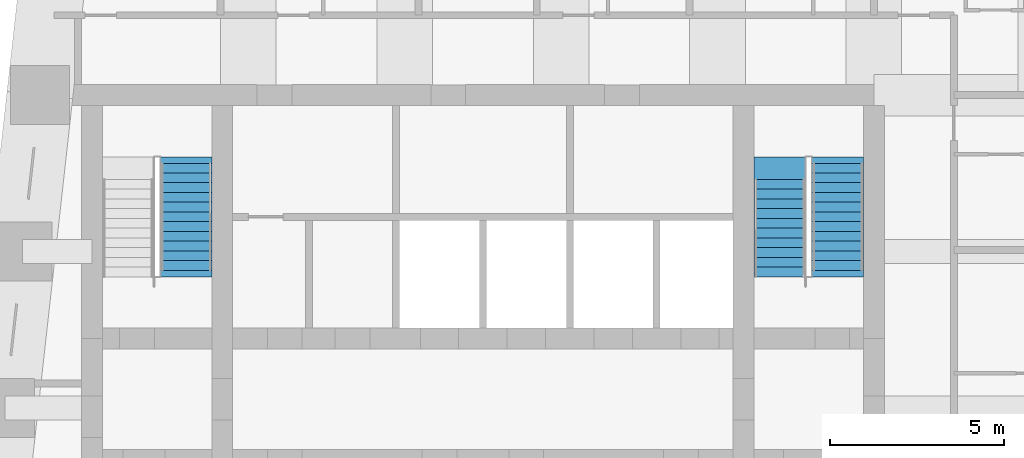
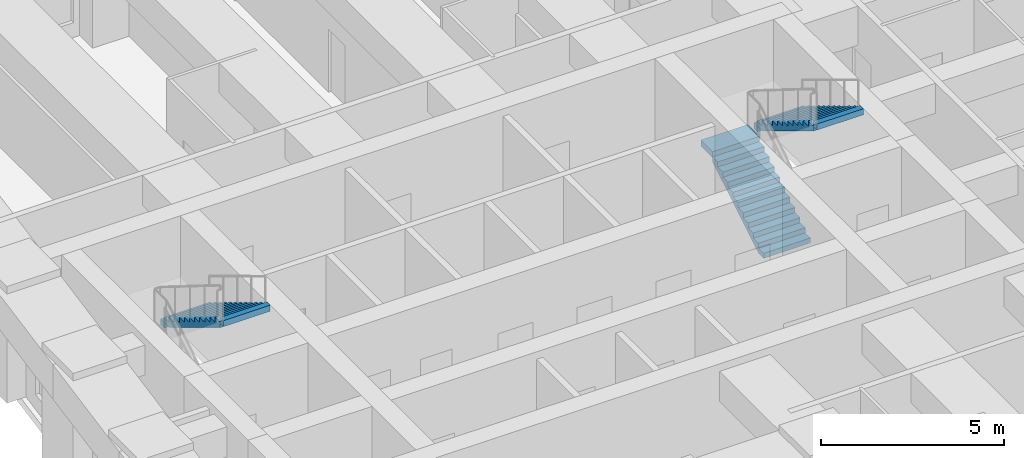
# One storey, part 6 of 7: 3 stair flights, 2 elements without a shape of their own.
"""IFC4 building model written with IfcOpenShell, lengths in metres."""

from ifc_helpers import new_model, si_unit, direction, frame, origin, place, context, subcontext, project, spatial, polyline, outline, extrude, material, type_object, element, aggregate, save


model = new_model("IFC4")

# Units and contexts
model_context = context("Model", 3, precision=1e-05, world=origin(), true_north=direction((0.0, 1.0)))
body_context = subcontext(model_context, "Body", "Model", "MODEL_VIEW")
ifc_project = project(units=[si_unit("LENGTHUNIT", "METRE"), si_unit("AREAUNIT", "SQUARE_METRE"), si_unit("VOLUMEUNIT", "CUBIC_METRE"), si_unit("PLANEANGLEUNIT", "RADIAN"), si_unit("MASSUNIT", "GRAM", prefix="KILO")], contexts=[model_context])

# Site, building, storey
site_placement = place(None, origin())
site = spatial("IfcSite", under=ifc_project, at=site_placement, CompositionType="ELEMENT")
building_placement = place(site_placement, origin())
building = spatial("IfcBuilding", under=site, at=building_placement, Name="Kilele Tower Hotel", CompositionType="ELEMENT")
storey_placement = place(building_placement, frame((0.0, 0.0, 236.89990234375)))
storey = spatial("IfcBuildingStorey", under=building, at=storey_placement, Name="L61", CompositionType="ELEMENT", Elevation=236.89990234375)

# Stair, stair flight
ifc_material_1 = material(Name="Precast concrete C40/50", Category="concrete")
stair_type = type_object("IfcStairType", Name="Stair 1475 x 3900", PredefinedType="HALF_TURN_STAIR", material=ifc_material_1)
stair_1_placement = place(storey_placement, origin())
stair_1 = element("IfcStair", 1, at=stair_1_placement, inside=storey, type_object=stair_type, Name="Stair 1 L61", PredefinedType="HALF_TURN_STAIR")
ifc_material_2 = material(Name="Precast concrete C40/50", Category="concrete")
stair_flight_type = type_object("IfcStairFlightType", Name="Flight 1475 riser 169.6", PredefinedType="STRAIGHT", material=ifc_material_2)
stair_flight_1_placement = place(storey_placement, frame((16.21240234375, 25.0400390625, 1.865234375), z_axis=(0.0, 0.0, 1.0), x_axis=(0.0, -1.0, 0.0)))
stair_flight_1 = element("IfcStairFlight", 2, at=stair_flight_1_placement, type_object=stair_flight_type, Name="ST1 flight 2", NumberOfRisers=12, NumberOfTreads=11, PredefinedType="STRAIGHT", RiserHeight=0.169565217, TreadLength=0.28, context=body_context, shape_type="SweptSolid", body=[
    extrude(outline(polyline([(0.0, 0.0), (0.0, 0.169677734375), (0.280029296875, 0.169677734375), (0.280029296875, 0.339111328125), (0.56005859375, 0.339111328125), (0.56005859375, 0.5087890625), (0.840087890625, 0.5087890625), (0.840087890625, 0.67822265625), (1.1201171875, 0.67822265625), (1.1201171875, 0.847900390625), (1.39990234375, 0.847900390625), (1.39990234375, 1.017333984375), (1.679931640625, 1.017333984375), (1.679931640625, 1.18701171875), (1.9599609375, 1.18701171875), (1.9599609375, 1.3564453125), (2.239990234375, 1.3564453125), (2.239990234375, 1.526123046875), (2.52001953125, 1.526123046875), (2.52001953125, 1.695556640625), (2.800048828125, 1.695556640625), (2.800048828125, 1.865234375), (3.080078125, 1.865234375), (3.080078125, 2.03466796875), (3.080078125, 1.68994140625), (0.289306640625, 0.0), (0.0, 0.0)])), frame((0.0, 0.737548828125, 0.0), z_axis=(0.0, -1.0, 0.0), x_axis=(1.0, 0.0, 0.0)), (0.0, 0.0, 1.0), 1.47509765625),
    extrude(outline(polyline([(0.0, -0.7373046875), (0.0, 0.737548828125), (-0.18505859375, 0.737548828125), (-0.18505859375, -0.7373046875), (0.0, -0.7373046875)])), frame((0.0, 0.0, -0.199951171875)), (0.0, 0.0, 1.0), 0.199951171875),
    extrude(outline(polyline([(3.26513671875, -0.7373046875), (3.26513671875, 0.737548828125), (3.080078125, 0.737548828125), (3.080078125, -0.7373046875), (3.26513671875, -0.7373046875)])), frame((0.0, 0.0, 1.8349609375)), (0.0, 0.0, 1.0), 0.199951171875),
])
aggregate(stair_1, [stair_flight_1])

# Stair, stair flights
stair_2_placement = place(storey_placement, origin())
stair_2 = element("IfcStair", 3, at=stair_2_placement, inside=storey, type_object=stair_type, Name="Stair 2 L61", PredefinedType="HALF_TURN_STAIR")
stair_flight_2_placement = place(storey_placement, frame((33.28759765625, 21.77490234375, 0.0), z_axis=(0.0, 0.0, 1.0), x_axis=(0.0, 1.0, 0.0)))
stair_flight_2 = element("IfcStairFlight", 4, at=stair_flight_2_placement, type_object=stair_flight_type, Name="ST2 flight 1", NumberOfRisers=11, NumberOfTreads=10, PredefinedType="STRAIGHT", RiserHeight=0.169565217, TreadLength=0.28, context=body_context, shape_type="SweptSolid", body=[
    extrude(outline(polyline([(0.0, 0.0), (0.0, 0.169677734375), (0.280029296875, 0.169677734375), (0.280029296875, 0.339111328125), (0.56005859375, 0.339111328125), (0.56005859375, 0.5087890625), (0.840087890625, 0.5087890625), (0.840087890625, 0.67822265625), (1.1201171875, 0.67822265625), (1.1201171875, 0.847900390625), (1.39990234375, 0.847900390625), (1.39990234375, 1.017333984375), (1.679931640625, 1.017333984375), (1.679931640625, 1.18701171875), (1.9599609375, 1.18701171875), (1.9599609375, 1.3564453125), (2.239990234375, 1.3564453125), (2.239990234375, 1.526123046875), (2.52001953125, 1.526123046875), (2.52001953125, 1.695556640625), (2.800048828125, 1.695556640625), (2.800048828125, 1.865234375), (2.800048828125, 1.5205078125), (0.289306640625, 0.0), (0.0, 0.0)])), frame((0.0, 0.737548828125, 0.0), z_axis=(0.0, -1.0, 0.0), x_axis=(1.0, 0.0, 0.0)), (0.0, 0.0, 1.0), 1.47509765625),
    extrude(outline(polyline([(2.800048828125, 0.737548828125), (2.800048828125, -0.7373046875), (3.4501953125, -0.7373046875), (3.4501953125, 0.737548828125), (2.800048828125, 0.737548828125)])), frame((0.0, 0.0, 1.665283203125)), (0.0, 0.0, 1.0), 0.199951171875),
])
stair_flight_3_placement = place(storey_placement, frame((34.96240234375, 25.0400390625, 1.865234375), z_axis=(0.0, 0.0, 1.0), x_axis=(0.0, -1.0, 0.0)))
stair_flight_3 = element("IfcStairFlight", 5, at=stair_flight_3_placement, type_object=stair_flight_type, Name="ST2 flight 2", NumberOfRisers=12, NumberOfTreads=11, PredefinedType="STRAIGHT", RiserHeight=0.169565217, TreadLength=0.28, context=body_context, shape_type="SweptSolid", body=[
    extrude(outline(polyline([(0.0, 0.0), (0.0, 0.169677734375), (0.280029296875, 0.169677734375), (0.280029296875, 0.339111328125), (0.56005859375, 0.339111328125), (0.56005859375, 0.5087890625), (0.840087890625, 0.5087890625), (0.840087890625, 0.67822265625), (1.1201171875, 0.67822265625), (1.1201171875, 0.847900390625), (1.39990234375, 0.847900390625), (1.39990234375, 1.017333984375), (1.679931640625, 1.017333984375), (1.679931640625, 1.18701171875), (1.9599609375, 1.18701171875), (1.9599609375, 1.3564453125), (2.239990234375, 1.3564453125), (2.239990234375, 1.526123046875), (2.52001953125, 1.526123046875), (2.52001953125, 1.695556640625), (2.800048828125, 1.695556640625), (2.800048828125, 1.865234375), (3.080078125, 1.865234375), (3.080078125, 2.03466796875), (3.080078125, 1.68994140625), (0.289306640625, 0.0), (0.0, 0.0)])), frame((0.0, 0.737548828125, 0.0), z_axis=(0.0, -1.0, 0.0), x_axis=(1.0, 0.0, 0.0)), (0.0, 0.0, 1.0), 1.47509765625),
    extrude(outline(polyline([(0.0, -0.7373046875), (0.0, 0.737548828125), (-0.18505859375, 0.737548828125), (-0.18505859375, -0.7373046875), (0.0, -0.7373046875)])), frame((0.0, 0.0, -0.199951171875)), (0.0, 0.0, 1.0), 0.199951171875),
    extrude(outline(polyline([(3.26513671875, -0.7373046875), (3.26513671875, 0.737548828125), (3.080078125, 0.737548828125), (3.080078125, -0.7373046875), (3.26513671875, -0.7373046875)])), frame((0.0, 0.0, 1.8349609375)), (0.0, 0.0, 1.0), 0.199951171875),
])
aggregate(stair_2, [stair_flight_2, stair_flight_3])

save(model, "model.ifc")
